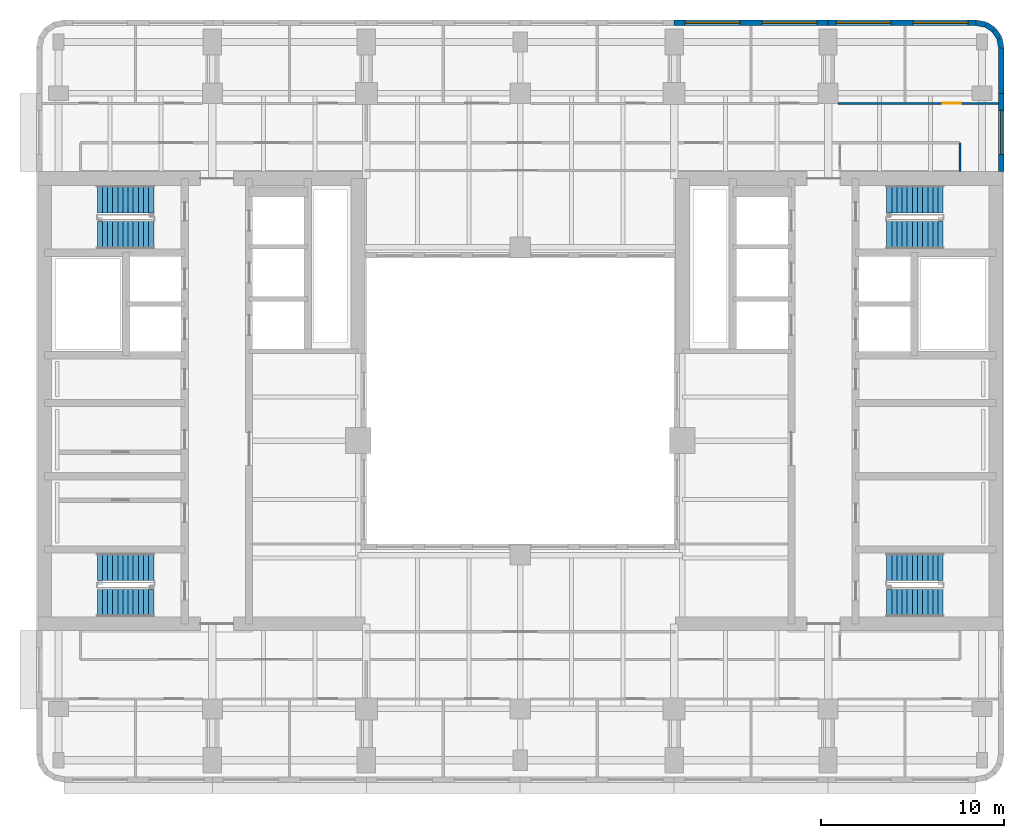
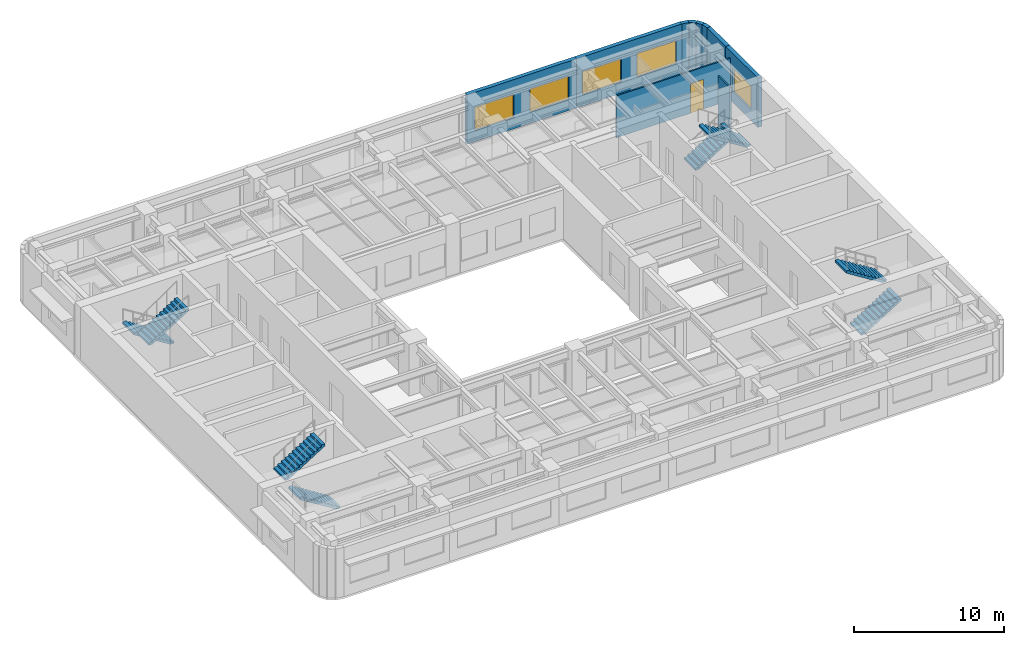
# One storey, part 8 of 11: 10 walls, 8 stair flights, 5 windows, 1 door, 6 openings, 4 elements without a shape of their own.
"""IFC4 building model written with IfcOpenShell, lengths in metres."""

import ifcopenshell
import ifcopenshell.guid

model = None  # the IFC model being written
_history = None  # IfcOwnerHistory: only IFC2X3 demands one
_inside = {}  # id of a spatial element -> (the spatial element, [elements in it])
_under = {}  # id of a project, library or spatial element -> (it, [spatial elements below it])
_declared = {}  # id of a project -> (the project, [libraries it declares])
_typed = {}  # id of a type object -> (the type object, [elements of that type])
_made_of = {}  # id of a material, layer set ... -> (it, [elements and type objects made of it])


def new_model(schema):
    """Start an empty IFC model of exactly this schema.

    Asked for "IFC4X3", IfcOpenShell would pick the latest addendum, in which some entities
    have other attributes; the version numbers below select the first issue.
    IFC2X3 requires an IfcOwnerHistory on every rooted entity: one is made here for all.
    """
    global model, _history
    if schema == "IFC4X3":
        model = ifcopenshell.file(schema_version=(4, 3, 0, 0))
    else:
        model = ifcopenshell.file(schema=schema)
    _inside.clear()
    _under.clear()
    _declared.clear()
    _typed.clear()
    _made_of.clear()
    _history = None
    if model.schema == "IFC2X3":
        org = make("IfcOrganization", Name="unknown")
        user = make(
            "IfcPersonAndOrganization",
            ThePerson=make("IfcPerson", FamilyName="unknown"),
            TheOrganization=org,
        )
        app = make(
            "IfcApplication",
            ApplicationDeveloper=org,
            Version="unknown",
            ApplicationFullName="unknown",
            ApplicationIdentifier="unknown",
        )
        _history = make(
            "IfcOwnerHistory",
            OwningUser=user,
            OwningApplication=app,
            ChangeAction="ADDED",
            CreationDate=0,
        )
    return model


def make(cls, **values):
    """One entity of the class cls with the attributes given. An attribute that is None is left unset."""
    return model.create_entity(
        cls, **{name: value for name, value in values.items() if value is not None}
    )


def rooted(cls, **values):
    """An entity with a GlobalId (a new one), such as an element, a storey or a relation."""
    return make(cls, GlobalId=ifcopenshell.guid.new(), OwnerHistory=_history, **values)


def si_unit(unit_type, name, prefix=None):
    """IfcSIUnit, for example si_unit("LENGTHUNIT", "METRE", prefix="MILLI")."""
    return make("IfcSIUnit", UnitType=unit_type, Prefix=prefix, Name=name)


def assignment(units):
    """IfcUnitAssignment: the units of a project."""
    return None if units is None else make("IfcUnitAssignment", Units=units)


def point(xyz):
    """IfcCartesianPoint."""
    return None if xyz is None else make("IfcCartesianPoint", Coordinates=xyz)


def direction(xyz):
    """IfcDirection."""
    return None if xyz is None else make("IfcDirection", DirectionRatios=xyz)


def frame(location, z_axis=None, x_axis=None):
    """IfcAxis2Placement3D, a coordinate frame: its origin and axes. An axis left out is left unset."""
    return make(
        "IfcAxis2Placement3D",
        Location=point(location),
        Axis=direction(z_axis),
        RefDirection=direction(x_axis),
    )


def frame_2d(location, x_axis=None):
    """IfcAxis2Placement2D, a coordinate frame in the plane: its origin and x axis."""
    return make(
        "IfcAxis2Placement2D", Location=point(location), RefDirection=direction(x_axis)
    )


def origin():
    """The frame at (0, 0, 0) with its axes left unset."""
    return frame((0.0, 0.0, 0.0))


def place(relative_to, where):
    """IfcLocalPlacement: puts the frame where relative to a parent placement (None: the world)."""
    return make(
        "IfcLocalPlacement", PlacementRelTo=relative_to, RelativePlacement=where
    )


def context(
    kind, dimensions, precision=None, world=None, true_north=None, identifier=None
):
    """IfcGeometricRepresentationContext, for example the 3D "Model" context."""
    return make(
        "IfcGeometricRepresentationContext",
        ContextIdentifier=identifier,
        ContextType=kind,
        CoordinateSpaceDimension=dimensions,
        Precision=precision,
        WorldCoordinateSystem=world,
        TrueNorth=true_north,
    )


def subcontext(parent, identifier, kind, view, scale=None):
    """IfcGeometricRepresentationSubContext, for example "Body" below "Model"."""
    return make(
        "IfcGeometricRepresentationSubContext",
        ContextIdentifier=identifier,
        ContextType=kind,
        ParentContext=parent,
        TargetScale=scale,
        TargetView=view,
    )


def project(units=None, contexts=None):
    """IfcProject with its units and contexts."""
    return rooted(
        "IfcProject",
        Name="project",
        RepresentationContexts=contexts,
        UnitsInContext=assignment(units),
    )


def spatial(cls, under=None, at=None, **own):
    """A site, building, storey or space (cls), placed at a placement, below another one or the project."""
    s = rooted(cls, ObjectPlacement=at, **own)
    if under is not None:
        _under.setdefault(under.id(), (under, []))[1].append(s)
    return s


def polyline(points):
    """IfcPolyline through the points."""
    return make("IfcPolyline", Points=[point(p) for p in points])


def profile(cls, at=None, kind="AREA", **sizes):
    """A parametric profile (cls). Its sizes go by their IFC names, for example OverallWidth=200.0."""
    return make(cls, ProfileType=kind, Position=at, **sizes)


def rectangle(**sizes):
    """IfcRectangleProfileDef."""
    return profile("IfcRectangleProfileDef", **sizes)


def outline(outer, holes=None, kind="AREA"):
    """IfcArbitraryClosedProfileDef: a profile drawn as a closed curve; with holes, ...WithVoids."""
    if holes is None:
        return make("IfcArbitraryClosedProfileDef", ProfileType=kind, OuterCurve=outer)
    return make(
        "IfcArbitraryProfileDefWithVoids",
        ProfileType=kind,
        OuterCurve=outer,
        InnerCurves=holes,
    )


def extrude(swept, where, along, depth):
    """IfcExtrudedAreaSolid: the profile swept, set in the frame where, extruded along a direction by depth."""
    return make(
        "IfcExtrudedAreaSolid",
        SweptArea=swept,
        Position=where,
        ExtrudedDirection=direction(along),
        Depth=depth,
    )


def shape(context_of_items, identifier, shape_type, items):
    """IfcShapeRepresentation: the items that make up one representation, for example the "Body"."""
    return make(
        "IfcShapeRepresentation",
        ContextOfItems=context_of_items,
        RepresentationIdentifier=identifier,
        RepresentationType=shape_type,
        Items=items,
    )


def material(Name=None, Category=None):
    """IfcMaterial."""
    return make("IfcMaterial", Name=Name, Category=Category)


def layer(
    of_material, thickness, ventilated=None, Name=None, Category=None, Priority=None
):
    """IfcMaterialLayer: one layer of a wall or slab, of a material (None: an air gap)."""
    return make(
        "IfcMaterialLayer",
        Material=of_material,
        LayerThickness=thickness,
        IsVentilated=ventilated,
        Name=Name,
        Category=Category,
        Priority=Priority,
    )


def layer_set(layers, Name=None):
    """IfcMaterialLayerSet."""
    return make("IfcMaterialLayerSet", MaterialLayers=layers, LayerSetName=Name)


def made_of(thing, what):
    """Note that an element or type object is made of a material, layer set ...; save() writes the relation."""
    if what is not None:
        _made_of.setdefault(what.id(), (what, []))[1].append(thing)
    return thing


def type_object(cls, material=None, **own):
    """A type object (cls), such as IfcWallType, which elements share."""
    return made_of(rooted(cls, **own), material)


def element(
    cls,
    number,
    at=None,
    inside=None,
    cuts=None,
    type_object=None,
    material=None,
    context=None,
    identifier="Body",
    shape_type=None,
    held_by="IfcProductDefinitionShape",
    body=None,
    shapes=None,
    **own,
):
    """One element of the class cls, such as IfcWall. Its Tag is "e" and its number.

    at: its placement. inside: the storey or other place that contains it. cuts: it is an
    opening in that element (IfcRelVoidsElement). A single representation is given by context,
    identifier, shape_type and body (its items); several are given by shapes. held_by: the class
    of the entity that holds the representations. save() writes the other relations.
    """
    e = rooted(cls, Tag="e%d" % number, ObjectPlacement=at, **own)
    if body is not None:
        shapes = [shape(context, identifier, shape_type, body)]
    if shapes is not None:
        e.Representation = make(held_by, Representations=shapes)
    if inside is not None:
        _inside.setdefault(inside.id(), (inside, []))[1].append(e)
    if cuts is not None:
        rooted(
            "IfcRelVoidsElement", RelatingBuildingElement=cuts, RelatedOpeningElement=e
        )
    if type_object is not None:
        _typed.setdefault(type_object.id(), (type_object, []))[1].append(e)
    return made_of(e, material)


def fill(opening, filler):
    """IfcRelFillsElement: the door or window that sits in an opening."""
    return rooted(
        "IfcRelFillsElement",
        RelatingOpeningElement=opening,
        RelatedBuildingElement=filler,
    )


def aggregate(whole, parts):
    """IfcRelAggregates: a whole, such as a stair, and the parts it consists of."""
    return rooted("IfcRelAggregates", RelatingObject=whole, RelatedObjects=parts)


def save(model, path):
    """Write the relations noted so far, then the file.

    IfcRelAggregates (storeys below a building ...), IfcRelContainedInSpatialStructure (elements
    in a storey), IfcRelDefinesByType, IfcRelAssociatesMaterial and IfcRelDeclares: one each for
    every whole, place, type object, material and project.
    """
    for whole, parts in _under.values():
        aggregate(whole, parts)
    for where, things in _inside.values():
        rooted(
            "IfcRelContainedInSpatialStructure",
            RelatedElements=things,
            RelatingStructure=where,
        )
    for kind, things in _typed.values():
        rooted("IfcRelDefinesByType", RelatedObjects=things, RelatingType=kind)
    for what, things in _made_of.values():
        rooted("IfcRelAssociatesMaterial", RelatedObjects=things, RelatingMaterial=what)
    for by, libraries in _declared.values():
        rooted("IfcRelDeclares", RelatingContext=by, RelatedDefinitions=libraries)
    model.write(path)


model = new_model("IFC4")

# Units and contexts
model_context = context("Model", 3, precision=1e-05, world=origin(), true_north=direction((0.0, 1.0)))
body_context = subcontext(model_context, "Body", "Model", "MODEL_VIEW")
ifc_project = project(units=[si_unit("LENGTHUNIT", "METRE"), si_unit("AREAUNIT", "SQUARE_METRE"), si_unit("VOLUMEUNIT", "CUBIC_METRE"), si_unit("PLANEANGLEUNIT", "RADIAN"), si_unit("MASSUNIT", "GRAM", prefix="KILO")], contexts=[model_context])

# Site, building, storey
site_placement = place(None, origin())
site = spatial("IfcSite", under=ifc_project, at=site_placement, CompositionType="ELEMENT")
building_placement = place(site_placement, origin())
building = spatial("IfcBuilding", under=site, at=building_placement, Name="Claustro Exchange Tower", CompositionType="ELEMENT")
storey_placement = place(building_placement, frame((0.0, 0.0, 240.60009765625)))
storey = spatial("IfcBuildingStorey", under=building, at=storey_placement, Name="L55", CompositionType="ELEMENT", Elevation=240.60009765625)

# Wall, opening, door
ifc_material_1 = material(Name="Laminated glass in aluminium frame", Category="aluminium")
ifc_layer_1 = layer(ifc_material_1, 0.1201171875)
ifc_layer_set_1 = layer_set([ifc_layer_1], Name="Laminated glass in aluminium frame")
wall_type_1 = type_object("IfcWallType", Name="P2 120 glazed partition", PredefinedType="PARTITIONING", material=ifc_layer_set_1)
wall_1_placement = place(storey_placement, frame((42.551025390625, 41.449951171875, 0.0), z_axis=(0.0, 0.0, 1.0), x_axis=(1.0, 0.0, 0.0)))
wall_1 = element("IfcWall", 1, at=wall_1_placement, inside=storey, type_object=wall_type_1, Name="Partition P2 L55", PredefinedType="PARTITIONING", context=body_context, shape_type="SweptSolid", body=[
    extrude(rectangle(XDim=8.7509765625, YDim=0.1201171875, at=frame_2d((4.37548828125, 0.0))), origin(), (0.0, 0.0, 1.0), 3.39990234375),
])
opening_1_placement = place(wall_1_placement, frame((5.698974609375, 0.0, 0.0)))
opening_1 = element("IfcOpeningElement", 2, at=opening_1_placement, cuts=wall_1, Name="Opening D7", PredefinedType="OPENING", context=body_context, shape_type="SweptSolid", body=[
    extrude(rectangle(XDim=1.0, YDim=2.39990234375, at=frame_2d((0.5, 1.199951171875))), frame((0.0, 0.070068359375, 0.0), z_axis=(0.0, -1.0, 0.0), x_axis=(1.0, 0.0, 0.0)), (0.0, 0.0, 1.0), 0.14013671875),
])
ifc_material_2 = material(Name="Glass door in aluminium frame", Category="aluminium")
door_type = type_object("IfcDoorType", Name="D7 1000 x 2400 glazed door", OperationType="SINGLE_SWING_LEFT", PredefinedType="DOOR", material=ifc_material_2)
door_placement = place(opening_1_placement, origin())
door = element("IfcDoor", 3, at=door_placement, inside=storey, type_object=door_type, Name="Door D7 L55", OperationType="SINGLE_SWING_LEFT", OverallHeight=2.39990234375, OverallWidth=1.0, PredefinedType="DOOR", context=body_context, shape_type="SweptSolid", body=[
    extrude(rectangle(XDim=1.0, YDim=2.39990234375, at=frame_2d((0.5, 1.199951171875))), frame((0.0, 0.02490234375, 0.0), z_axis=(0.0, -1.0, 0.0), x_axis=(1.0, 0.0, 0.0)), (0.0, 0.0, 1.0), 0.050048828125),
])
fill(opening_1, door)

# Wall
wall_2_placement = place(storey_placement, frame((49.199951171875, 37.72412109375, 0.0), z_axis=(0.0, 0.0, 1.0), x_axis=(0.0, 1.0, 0.0)))
element("IfcWall", 4, at=wall_2_placement, inside=storey, type_object=wall_type_1, Name="Partition P2 L55", PredefinedType="PARTITIONING", context=body_context, shape_type="SweptSolid", body=[
    extrude(rectangle(XDim=1.575927734375, YDim=0.1201171875, at=frame_2d((0.7880859375, 0.0))), origin(), (0.0, 0.0, 1.0), 4.0),
])

# Wall, openings, windows
ifc_material_3 = material(Name="Concrete HA-40 (C40/50), precast, white cement, acid-etched", Category="concrete")
ifc_layer_2 = layer(ifc_material_3, 0.300048828125)
ifc_layer_set_2 = layer_set([ifc_layer_2], Name="Concrete HA-40 (C40/50), precast, white cement, acid-etched")
wall_type_2 = type_object("IfcWallType", Name="PC1 300 precast concrete pier panel", PredefinedType="SOLIDWALL", material=ifc_layer_set_2)
wall_3_placement = place(storey_placement, frame((33.60009765625, 45.85009765625, 0.0), z_axis=(0.0, 0.0, 1.0), x_axis=(1.0, 0.0, 0.0)))
wall_3 = element("IfcWall", 5, at=wall_3_placement, inside=storey, type_object=wall_type_2, Name="Precast pier panel PC1 L55", PredefinedType="SOLIDWALL", context=body_context, shape_type="SweptSolid", body=[
    extrude(rectangle(XDim=8.39990234375, YDim=0.300048828125, at=frame_2d((4.199951171875, 0.0))), origin(), (0.0, 0.0, 1.0), 4.0),
])
opening_2_placement = place(wall_3_placement, frame((0.60009765625, 0.0, 0.89990234375)))
opening_2 = element("IfcOpeningElement", 6, at=opening_2_placement, cuts=wall_3, Name="Opening W1", PredefinedType="OPENING", context=body_context, shape_type="SweptSolid", body=[
    extrude(rectangle(XDim=3.0, YDim=1.89990234375, at=frame_2d((1.5, 0.949951171875))), frame((0.0, 0.159912109375, 0.0), z_axis=(0.0, -1.0, 0.0), x_axis=(1.0, 0.0, 0.0)), (0.0, 0.0, 1.0), 0.320068359375),
])
opening_3_placement = place(wall_3_placement, frame((4.800048828125, 0.0, 0.89990234375)))
opening_3 = element("IfcOpeningElement", 7, at=opening_3_placement, cuts=wall_3, Name="Opening W1", PredefinedType="OPENING", context=body_context, shape_type="SweptSolid", body=[
    extrude(rectangle(XDim=3.0, YDim=1.89990234375, at=frame_2d((1.5, 0.949951171875))), frame((0.0, 0.159912109375, 0.0), z_axis=(0.0, -1.0, 0.0), x_axis=(1.0, 0.0, 0.0)), (0.0, 0.0, 1.0), 0.320068359375),
])
ifc_material_4 = material(Name="Aluminium frame, clear double glazing", Category="aluminium")
window_type_1 = type_object("IfcWindowType", Name="W1 3000 x 1900 window", PartitioningType="SINGLE_PANEL", PredefinedType="WINDOW", material=ifc_material_4)
window_1_placement = place(opening_2_placement, origin())
window_1 = element("IfcWindow", 8, at=window_1_placement, inside=storey, type_object=window_type_1, Name="Window W1 L55", OverallHeight=1.89990234375, OverallWidth=3.0, PartitioningType="SINGLE_PANEL", PredefinedType="WINDOW", context=body_context, shape_type="SweptSolid", body=[
    extrude(rectangle(XDim=3.0, YDim=1.89990234375, at=frame_2d((1.5, 0.949951171875))), frame((0.0, 0.030029296875, 0.0), z_axis=(0.0, -1.0, 0.0), x_axis=(1.0, 0.0, 0.0)), (0.0, 0.0, 1.0), 0.06005859375),
])
fill(opening_2, window_1)
window_2_placement = place(opening_3_placement, origin())
window_2 = element("IfcWindow", 9, at=window_2_placement, inside=storey, type_object=window_type_1, Name="Window W1 L55", OverallHeight=1.89990234375, OverallWidth=3.0, PartitioningType="SINGLE_PANEL", PredefinedType="WINDOW", context=body_context, shape_type="SweptSolid", body=[
    extrude(rectangle(XDim=3.0, YDim=1.89990234375, at=frame_2d((1.5, 0.949951171875))), frame((0.0, 0.030029296875, 0.0), z_axis=(0.0, -1.0, 0.0), x_axis=(1.0, 0.0, 0.0)), (0.0, 0.0, 1.0), 0.06005859375),
])
fill(opening_3, window_2)

wall_4_placement = place(storey_placement, frame((42.0, 45.85009765625, 0.0), z_axis=(0.0, 0.0, 1.0), x_axis=(1.0, 0.0, 0.0)))
wall_4 = element("IfcWall", 10, at=wall_4_placement, inside=storey, type_object=wall_type_2, Name="Precast pier panel PC1 L55", PredefinedType="SOLIDWALL", context=body_context, shape_type="SweptSolid", body=[
    extrude(rectangle(XDim=8.085205078125, YDim=0.300048828125, at=frame_2d((4.04248046875, 0.0))), origin(), (0.0, 0.0, 1.0), 4.0),
])
opening_4_placement = place(wall_4_placement, frame((0.442626953125, 0.0, 0.89990234375)))
opening_4 = element("IfcOpeningElement", 11, at=opening_4_placement, cuts=wall_4, Name="Opening W1", PredefinedType="OPENING", context=body_context, shape_type="SweptSolid", body=[
    extrude(rectangle(XDim=3.0, YDim=1.89990234375, at=frame_2d((1.5, 0.949951171875))), frame((0.0, 0.159912109375, 0.0), z_axis=(0.0, -1.0, 0.0), x_axis=(1.0, 0.0, 0.0)), (0.0, 0.0, 1.0), 0.320068359375),
])
opening_5_placement = place(wall_4_placement, frame((4.642578125, 0.0, 0.89990234375)))
opening_5 = element("IfcOpeningElement", 12, at=opening_5_placement, cuts=wall_4, Name="Opening W1", PredefinedType="OPENING", context=body_context, shape_type="SweptSolid", body=[
    extrude(rectangle(XDim=3.0, YDim=1.89990234375, at=frame_2d((1.5, 0.949951171875))), frame((0.0, 0.159912109375, 0.0), z_axis=(0.0, -1.0, 0.0), x_axis=(1.0, 0.0, 0.0)), (0.0, 0.0, 1.0), 0.320068359375),
])
window_3_placement = place(opening_4_placement, origin())
window_3 = element("IfcWindow", 13, at=window_3_placement, inside=storey, type_object=window_type_1, Name="Window W1 L55", OverallHeight=1.89990234375, OverallWidth=3.0, PartitioningType="SINGLE_PANEL", PredefinedType="WINDOW", context=body_context, shape_type="SweptSolid", body=[
    extrude(rectangle(XDim=3.0, YDim=1.89990234375, at=frame_2d((1.5, 0.949951171875))), frame((0.0, 0.030029296875, 0.0), z_axis=(0.0, -1.0, 0.0), x_axis=(1.0, 0.0, 0.0)), (0.0, 0.0, 1.0), 0.06005859375),
])
fill(opening_4, window_3)
window_4_placement = place(opening_5_placement, origin())
window_4 = element("IfcWindow", 14, at=window_4_placement, inside=storey, type_object=window_type_1, Name="Window W1 L55", OverallHeight=1.89990234375, OverallWidth=3.0, PartitioningType="SINGLE_PANEL", PredefinedType="WINDOW", context=body_context, shape_type="SweptSolid", body=[
    extrude(rectangle(XDim=3.0, YDim=1.89990234375, at=frame_2d((1.5, 0.949951171875))), frame((0.0, 0.030029296875, 0.0), z_axis=(0.0, -1.0, 0.0), x_axis=(1.0, 0.0, 0.0)), (0.0, 0.0, 1.0), 0.06005859375),
])
fill(opening_5, window_4)

# Walls
wall_5_placement = place(storey_placement, frame((50.085205078125, 45.85009765625, 0.0), z_axis=(0.0, 0.0, 1.0), x_axis=(0.980702050465, -0.1955082817, 0.0)))
element("IfcWall", 15, at=wall_5_placement, inside=storey, type_object=wall_type_2, Name="Precast pier panel PC1 L55", PredefinedType="SOLIDWALL", context=body_context, shape_type="SweptSolid", body=[
    extrude(rectangle(XDim=0.540771484375, YDim=0.300048828125, at=frame_2d((0.2705078125, 0.0))), origin(), (0.0, 0.0, 1.0), 4.0),
])
wall_6_placement = place(storey_placement, frame((50.615478515625, 45.744384765625, 0.0), z_axis=(0.0, 0.0, 1.0), x_axis=(0.831692711774, -0.555236195849, 0.0)))
element("IfcWall", 16, at=wall_6_placement, inside=storey, type_object=wall_type_2, Name="Precast pier panel PC1 L55", PredefinedType="SOLIDWALL", context=body_context, shape_type="SweptSolid", body=[
    extrude(rectangle(XDim=0.525390625, YDim=0.300048828125, at=frame_2d((0.2626953125, 0.0))), origin(), (0.0, 0.0, 1.0), 4.0),
])
wall_7_placement = place(storey_placement, frame((51.052490234375, 45.45263671875, 0.0), z_axis=(0.0, 0.0, 1.0), x_axis=(0.55534295404, -0.831621430339, 0.0)))
element("IfcWall", 17, at=wall_7_placement, inside=storey, type_object=wall_type_2, Name="Precast pier panel PC1 L55", PredefinedType="SOLIDWALL", context=body_context, shape_type="SweptSolid", body=[
    extrude(rectangle(XDim=0.52587890625, YDim=0.300048828125, at=frame_2d((0.262939453125, 0.0))), origin(), (0.0, 0.0, 1.0), 4.0),
])
wall_8_placement = place(storey_placement, frame((51.344482421875, 45.015380859375, 0.0), z_axis=(0.0, 0.0, 1.0), x_axis=(0.195073962632, -0.980788534345, 0.0)))
element("IfcWall", 18, at=wall_8_placement, inside=storey, type_object=wall_type_2, Name="Precast pier panel PC1 L55", PredefinedType="SOLIDWALL", context=body_context, shape_type="SweptSolid", body=[
    extrude(rectangle(XDim=0.540771484375, YDim=0.300048828125, at=frame_2d((0.2705078125, 0.0))), origin(), (0.0, 0.0, 1.0), 4.0),
])
wall_9_placement = place(storey_placement, frame((51.449951171875, 44.485107421875, 0.0), z_axis=(0.0, 0.0, 1.0), x_axis=(0.0, -1.0, 0.0)))
element("IfcWall", 19, at=wall_9_placement, inside=storey, type_object=wall_type_2, Name="Precast pier panel PC1 L55", PredefinedType="SOLIDWALL", context=body_context, shape_type="SweptSolid", body=[
    extrude(rectangle(XDim=2.485107421875, YDim=0.300048828125, at=frame_2d((1.24267578125, 0.0))), origin(), (0.0, 0.0, 1.0), 4.0),
])

# Wall, opening, window
wall_10_placement = place(storey_placement, frame((51.449951171875, 42.0, 0.0), z_axis=(0.0, 0.0, 1.0), x_axis=(0.0, -1.0, 0.0)))
wall_10 = element("IfcWall", 20, at=wall_10_placement, inside=storey, type_object=wall_type_2, Name="Precast pier panel PC1 L55", PredefinedType="SOLIDWALL", context=body_context, shape_type="SweptSolid", body=[
    extrude(rectangle(XDim=4.27490234375, YDim=0.300048828125, at=frame_2d((2.137451171875, 0.0))), origin(), (0.0, 0.0, 1.0), 4.0),
])
opening_6_placement = place(wall_10_placement, frame((0.9375, 0.0, 0.89990234375)))
opening_6 = element("IfcOpeningElement", 21, at=opening_6_placement, cuts=wall_10, Name="Opening W2", PredefinedType="OPENING", context=body_context, shape_type="SweptSolid", body=[
    extrude(rectangle(XDim=2.39990234375, YDim=1.89990234375, at=frame_2d((1.199951171875, 0.949951171875))), frame((0.0, 0.159912109375, 0.0), z_axis=(0.0, -1.0, 0.0), x_axis=(1.0, 0.0, 0.0)), (0.0, 0.0, 1.0), 0.320068359375),
])
ifc_material_5 = material(Name="Aluminium frame, clear double glazing", Category="aluminium")
window_type_2 = type_object("IfcWindowType", Name="W2 2400 x 1900 window", PartitioningType="SINGLE_PANEL", PredefinedType="WINDOW", material=ifc_material_5)
window_5_placement = place(opening_6_placement, origin())
window_5 = element("IfcWindow", 22, at=window_5_placement, inside=storey, type_object=window_type_2, Name="Window W2 L55", OverallHeight=1.89990234375, OverallWidth=2.39990234375, PartitioningType="SINGLE_PANEL", PredefinedType="WINDOW", context=body_context, shape_type="SweptSolid", body=[
    extrude(rectangle(XDim=2.39990234375, YDim=1.89990234375, at=frame_2d((1.199951171875, 0.949951171875))), frame((0.0, 0.030029296875, 0.0), z_axis=(0.0, -1.0, 0.0), x_axis=(1.0, 0.0, 0.0)), (0.0, 0.0, 1.0), 0.06005859375),
])
fill(opening_6, window_5)

# Stair, stair flights
ifc_material_6 = material(Name="Concrete HA-30 (C30/37), precast", Category="concrete")
stair_type = type_object("IfcStairType", Name="ST1 half-turn stair, 24 risers of 175", PredefinedType="HALF_TURN_STAIR", material=ifc_material_6)
stair_1_placement = place(storey_placement, origin())
stair_1 = element("IfcStair", 23, at=stair_1_placement, inside=storey, type_object=stair_type, Name="Stair STWA L55", PredefinedType="HALF_TURN_STAIR")
ifc_material_7 = material(Name="Concrete HA-30 (C30/37), precast", Category="concrete")
stair_flight_type = type_object("IfcStairFlightType", Name="SF12A straight flight, 12 risers of 175, 1500 wide", PredefinedType="STRAIGHT", material=ifc_material_7)
stair_flight_1_placement = place(storey_placement, frame((5.199951171875, 14.175048828125, 0.0), z_axis=(0.0, 0.0, 1.0), x_axis=(-1.0, 0.0, 0.0)))
stair_flight_1 = element("IfcStairFlight", 24, at=stair_flight_1_placement, type_object=stair_flight_type, Name="STWA flight 1", NumberOfRisers=12, NumberOfTreads=11, PredefinedType="STRAIGHT", RiserHeight=0.175, TreadLength=0.28, context=body_context, shape_type="SweptSolid", body=[
    extrude(outline(polyline([(0.0, 0.0), (0.0, 0.175048828125), (0.280029296875, 0.175048828125), (0.280029296875, 0.35009765625), (0.56005859375, 0.35009765625), (0.56005859375, 0.52490234375), (0.840087890625, 0.52490234375), (0.840087890625, 0.699951171875), (1.1201171875, 0.699951171875), (1.1201171875, 0.875), (1.39990234375, 0.875), (1.39990234375, 1.050048828125), (1.679931640625, 1.050048828125), (1.679931640625, 1.22509765625), (1.9599609375, 1.22509765625), (1.9599609375, 1.39990234375), (2.239990234375, 1.39990234375), (2.239990234375, 1.574951171875), (2.52001953125, 1.574951171875), (2.52001953125, 1.75), (2.800048828125, 1.75), (2.800048828125, 1.925048828125), (3.080078125, 1.925048828125), (3.080078125, 2.10009765625), (3.080078125, 1.748291015625), (0.28271484375, 0.0), (0.0, 0.0)])), frame((0.0, 0.75, 0.0), z_axis=(0.0, -1.0, 0.0), x_axis=(1.0, 0.0, 0.0)), (0.0, 0.0, 1.0), 1.5),
])
stair_flight_2_placement = place(storey_placement, frame((2.1201171875, 16.14990234375, 2.099853515625), z_axis=(0.0, 0.0, 1.0), x_axis=(1.0, 0.0, 0.0)))
stair_flight_2 = element("IfcStairFlight", 25, at=stair_flight_2_placement, type_object=stair_flight_type, Name="STWA flight 2", NumberOfRisers=12, NumberOfTreads=11, PredefinedType="STRAIGHT", RiserHeight=0.175, TreadLength=0.28, context=body_context, shape_type="SweptSolid", body=[
    extrude(outline(polyline([(0.0, 0.0), (0.0, 0.175048828125), (0.280029296875, 0.175048828125), (0.280029296875, 0.35009765625), (0.56005859375, 0.35009765625), (0.56005859375, 0.52490234375), (0.840087890625, 0.52490234375), (0.840087890625, 0.699951171875), (1.1201171875, 0.699951171875), (1.1201171875, 0.875), (1.39990234375, 0.875), (1.39990234375, 1.050048828125), (1.679931640625, 1.050048828125), (1.679931640625, 1.22509765625), (1.9599609375, 1.22509765625), (1.9599609375, 1.39990234375), (2.239990234375, 1.39990234375), (2.239990234375, 1.574951171875), (2.52001953125, 1.574951171875), (2.52001953125, 1.75), (2.800048828125, 1.75), (2.800048828125, 1.925048828125), (3.080078125, 1.925048828125), (3.080078125, 2.10009765625), (3.080078125, 1.748291015625), (0.28271484375, 0.0), (0.0, 0.0)])), frame((0.0, 0.75, 0.0), z_axis=(0.0, -1.0, 0.0), x_axis=(1.0, 0.0, 0.0)), (0.0, 0.0, 1.0), 1.5),
])
aggregate(stair_1, [stair_flight_1, stair_flight_2])

stair_2_placement = place(storey_placement, origin())
stair_2 = element("IfcStair", 26, at=stair_2_placement, inside=storey, type_object=stair_type, Name="Stair STWB L55", PredefinedType="HALF_TURN_STAIR")
stair_flight_3_placement = place(storey_placement, frame((5.199951171875, 36.22509765625, 0.0), z_axis=(0.0, 0.0, 1.0), x_axis=(-1.0, 0.0, 0.0)))
stair_flight_3 = element("IfcStairFlight", 27, at=stair_flight_3_placement, type_object=stair_flight_type, Name="STWB flight 1", NumberOfRisers=12, NumberOfTreads=11, PredefinedType="STRAIGHT", RiserHeight=0.175, TreadLength=0.28, context=body_context, shape_type="SweptSolid", body=[
    extrude(outline(polyline([(0.0, 0.0), (0.0, 0.175048828125), (0.280029296875, 0.175048828125), (0.280029296875, 0.35009765625), (0.56005859375, 0.35009765625), (0.56005859375, 0.52490234375), (0.840087890625, 0.52490234375), (0.840087890625, 0.699951171875), (1.1201171875, 0.699951171875), (1.1201171875, 0.875), (1.39990234375, 0.875), (1.39990234375, 1.050048828125), (1.679931640625, 1.050048828125), (1.679931640625, 1.22509765625), (1.9599609375, 1.22509765625), (1.9599609375, 1.39990234375), (2.239990234375, 1.39990234375), (2.239990234375, 1.574951171875), (2.52001953125, 1.574951171875), (2.52001953125, 1.75), (2.800048828125, 1.75), (2.800048828125, 1.925048828125), (3.080078125, 1.925048828125), (3.080078125, 2.10009765625), (3.080078125, 1.748291015625), (0.28271484375, 0.0), (0.0, 0.0)])), frame((0.0, 0.75, 0.0), z_axis=(0.0, -1.0, 0.0), x_axis=(1.0, 0.0, 0.0)), (0.0, 0.0, 1.0), 1.5),
])
stair_flight_4_placement = place(storey_placement, frame((2.1201171875, 34.25, 2.099853515625), z_axis=(0.0, 0.0, 1.0), x_axis=(1.0, 0.0, 0.0)))
stair_flight_4 = element("IfcStairFlight", 28, at=stair_flight_4_placement, type_object=stair_flight_type, Name="STWB flight 2", NumberOfRisers=12, NumberOfTreads=11, PredefinedType="STRAIGHT", RiserHeight=0.175, TreadLength=0.28, context=body_context, shape_type="SweptSolid", body=[
    extrude(outline(polyline([(0.0, 0.0), (0.0, 0.175048828125), (0.280029296875, 0.175048828125), (0.280029296875, 0.35009765625), (0.56005859375, 0.35009765625), (0.56005859375, 0.52490234375), (0.840087890625, 0.52490234375), (0.840087890625, 0.699951171875), (1.1201171875, 0.699951171875), (1.1201171875, 0.875), (1.39990234375, 0.875), (1.39990234375, 1.050048828125), (1.679931640625, 1.050048828125), (1.679931640625, 1.22509765625), (1.9599609375, 1.22509765625), (1.9599609375, 1.39990234375), (2.239990234375, 1.39990234375), (2.239990234375, 1.574951171875), (2.52001953125, 1.574951171875), (2.52001953125, 1.75), (2.800048828125, 1.75), (2.800048828125, 1.925048828125), (3.080078125, 1.925048828125), (3.080078125, 2.10009765625), (3.080078125, 1.748291015625), (0.28271484375, 0.0), (0.0, 0.0)])), frame((0.0, 0.75, 0.0), z_axis=(0.0, -1.0, 0.0), x_axis=(1.0, 0.0, 0.0)), (0.0, 0.0, 1.0), 1.5),
])
aggregate(stair_2, [stair_flight_3, stair_flight_4])

stair_3_placement = place(storey_placement, origin())
stair_3 = element("IfcStair", 29, at=stair_3_placement, inside=storey, type_object=stair_type, Name="Stair STEA L55", PredefinedType="HALF_TURN_STAIR")
stair_flight_5_placement = place(storey_placement, frame((45.199951171875, 14.175048828125, 0.0), z_axis=(0.0, 0.0, 1.0), x_axis=(1.0, 0.0, 0.0)))
stair_flight_5 = element("IfcStairFlight", 30, at=stair_flight_5_placement, type_object=stair_flight_type, Name="STEA flight 1", NumberOfRisers=12, NumberOfTreads=11, PredefinedType="STRAIGHT", RiserHeight=0.175, TreadLength=0.28, context=body_context, shape_type="SweptSolid", body=[
    extrude(outline(polyline([(0.0, 0.0), (0.0, 0.175048828125), (0.280029296875, 0.175048828125), (0.280029296875, 0.35009765625), (0.56005859375, 0.35009765625), (0.56005859375, 0.52490234375), (0.840087890625, 0.52490234375), (0.840087890625, 0.699951171875), (1.1201171875, 0.699951171875), (1.1201171875, 0.875), (1.39990234375, 0.875), (1.39990234375, 1.050048828125), (1.679931640625, 1.050048828125), (1.679931640625, 1.22509765625), (1.9599609375, 1.22509765625), (1.9599609375, 1.39990234375), (2.239990234375, 1.39990234375), (2.239990234375, 1.574951171875), (2.52001953125, 1.574951171875), (2.52001953125, 1.75), (2.800048828125, 1.75), (2.800048828125, 1.925048828125), (3.080078125, 1.925048828125), (3.080078125, 2.10009765625), (3.080078125, 1.748291015625), (0.28271484375, 0.0), (0.0, 0.0)])), frame((0.0, 0.75, 0.0), z_axis=(0.0, -1.0, 0.0), x_axis=(1.0, 0.0, 0.0)), (0.0, 0.0, 1.0), 1.5),
])
stair_flight_6_placement = place(storey_placement, frame((48.280029296875, 16.14990234375, 2.099853515625), z_axis=(0.0, 0.0, 1.0), x_axis=(-1.0, 0.0, 0.0)))
stair_flight_6 = element("IfcStairFlight", 31, at=stair_flight_6_placement, type_object=stair_flight_type, Name="STEA flight 2", NumberOfRisers=12, NumberOfTreads=11, PredefinedType="STRAIGHT", RiserHeight=0.175, TreadLength=0.28, context=body_context, shape_type="SweptSolid", body=[
    extrude(outline(polyline([(0.0, 0.0), (0.0, 0.175048828125), (0.280029296875, 0.175048828125), (0.280029296875, 0.35009765625), (0.56005859375, 0.35009765625), (0.56005859375, 0.52490234375), (0.840087890625, 0.52490234375), (0.840087890625, 0.699951171875), (1.1201171875, 0.699951171875), (1.1201171875, 0.875), (1.39990234375, 0.875), (1.39990234375, 1.050048828125), (1.679931640625, 1.050048828125), (1.679931640625, 1.22509765625), (1.9599609375, 1.22509765625), (1.9599609375, 1.39990234375), (2.239990234375, 1.39990234375), (2.239990234375, 1.574951171875), (2.52001953125, 1.574951171875), (2.52001953125, 1.75), (2.800048828125, 1.75), (2.800048828125, 1.925048828125), (3.080078125, 1.925048828125), (3.080078125, 2.10009765625), (3.080078125, 1.748291015625), (0.28271484375, 0.0), (0.0, 0.0)])), frame((0.0, 0.75, 0.0), z_axis=(0.0, -1.0, 0.0), x_axis=(1.0, 0.0, 0.0)), (0.0, 0.0, 1.0), 1.5),
])
aggregate(stair_3, [stair_flight_5, stair_flight_6])

stair_4_placement = place(storey_placement, origin())
stair_4 = element("IfcStair", 32, at=stair_4_placement, inside=storey, type_object=stair_type, Name="Stair STEB L55", PredefinedType="HALF_TURN_STAIR")
stair_flight_7_placement = place(storey_placement, frame((45.199951171875, 36.22509765625, 0.0), z_axis=(0.0, 0.0, 1.0), x_axis=(1.0, 0.0, 0.0)))
stair_flight_7 = element("IfcStairFlight", 33, at=stair_flight_7_placement, type_object=stair_flight_type, Name="STEB flight 1", NumberOfRisers=12, NumberOfTreads=11, PredefinedType="STRAIGHT", RiserHeight=0.175, TreadLength=0.28, context=body_context, shape_type="SweptSolid", body=[
    extrude(outline(polyline([(0.0, 0.0), (0.0, 0.175048828125), (0.280029296875, 0.175048828125), (0.280029296875, 0.35009765625), (0.56005859375, 0.35009765625), (0.56005859375, 0.52490234375), (0.840087890625, 0.52490234375), (0.840087890625, 0.699951171875), (1.1201171875, 0.699951171875), (1.1201171875, 0.875), (1.39990234375, 0.875), (1.39990234375, 1.050048828125), (1.679931640625, 1.050048828125), (1.679931640625, 1.22509765625), (1.9599609375, 1.22509765625), (1.9599609375, 1.39990234375), (2.239990234375, 1.39990234375), (2.239990234375, 1.574951171875), (2.52001953125, 1.574951171875), (2.52001953125, 1.75), (2.800048828125, 1.75), (2.800048828125, 1.925048828125), (3.080078125, 1.925048828125), (3.080078125, 2.10009765625), (3.080078125, 1.748291015625), (0.28271484375, 0.0), (0.0, 0.0)])), frame((0.0, 0.75, 0.0), z_axis=(0.0, -1.0, 0.0), x_axis=(1.0, 0.0, 0.0)), (0.0, 0.0, 1.0), 1.5),
])
stair_flight_8_placement = place(storey_placement, frame((48.280029296875, 34.25, 2.099853515625), z_axis=(0.0, 0.0, 1.0), x_axis=(-1.0, 0.0, 0.0)))
stair_flight_8 = element("IfcStairFlight", 34, at=stair_flight_8_placement, type_object=stair_flight_type, Name="STEB flight 2", NumberOfRisers=12, NumberOfTreads=11, PredefinedType="STRAIGHT", RiserHeight=0.175, TreadLength=0.28, context=body_context, shape_type="SweptSolid", body=[
    extrude(outline(polyline([(0.0, 0.0), (0.0, 0.175048828125), (0.280029296875, 0.175048828125), (0.280029296875, 0.35009765625), (0.56005859375, 0.35009765625), (0.56005859375, 0.52490234375), (0.840087890625, 0.52490234375), (0.840087890625, 0.699951171875), (1.1201171875, 0.699951171875), (1.1201171875, 0.875), (1.39990234375, 0.875), (1.39990234375, 1.050048828125), (1.679931640625, 1.050048828125), (1.679931640625, 1.22509765625), (1.9599609375, 1.22509765625), (1.9599609375, 1.39990234375), (2.239990234375, 1.39990234375), (2.239990234375, 1.574951171875), (2.52001953125, 1.574951171875), (2.52001953125, 1.75), (2.800048828125, 1.75), (2.800048828125, 1.925048828125), (3.080078125, 1.925048828125), (3.080078125, 2.10009765625), (3.080078125, 1.748291015625), (0.28271484375, 0.0), (0.0, 0.0)])), frame((0.0, 0.75, 0.0), z_axis=(0.0, -1.0, 0.0), x_axis=(1.0, 0.0, 0.0)), (0.0, 0.0, 1.0), 1.5),
])
aggregate(stair_4, [stair_flight_7, stair_flight_8])

save(model, "model.ifc")
